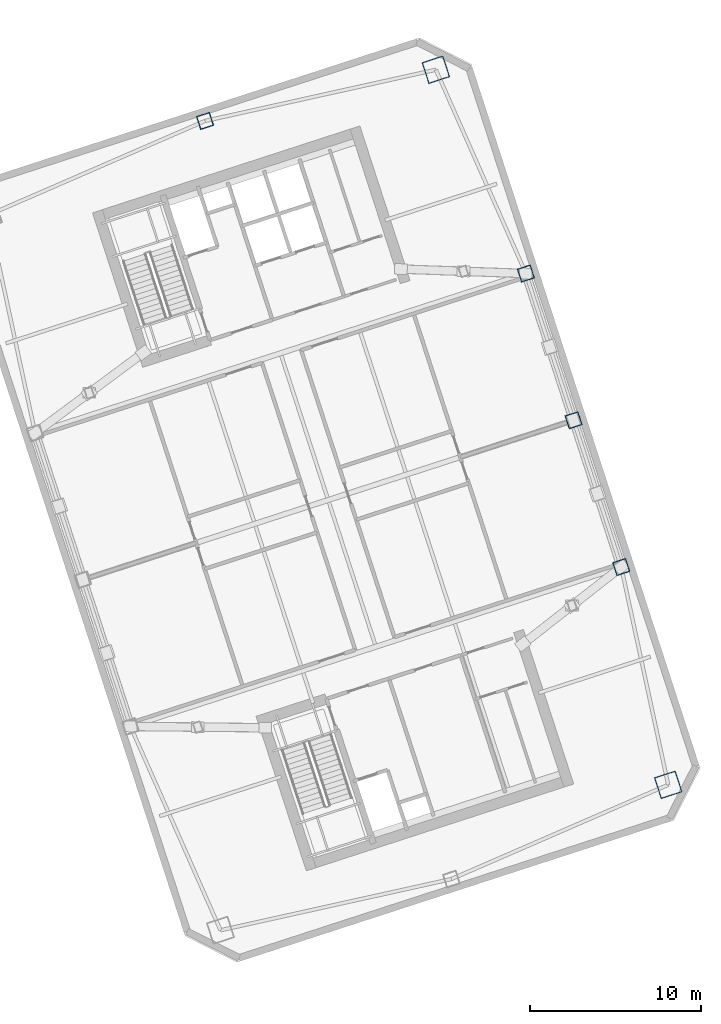
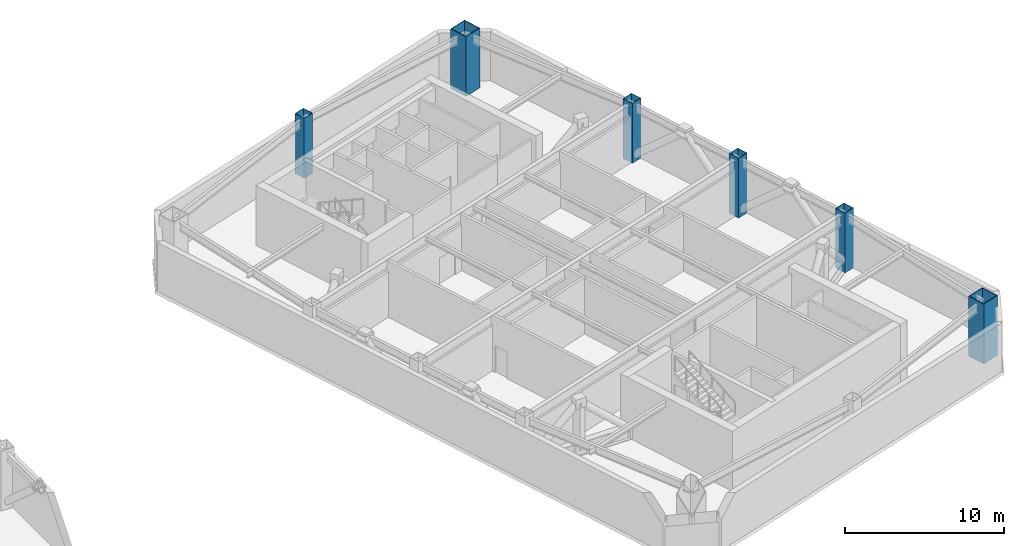
# One storey, part 2 of 14: 6 columns.
"""IFC4 building model written with IfcOpenShell, lengths in metres."""

from ifc_helpers import new_model, si_unit, direction, frame, origin, origin_2d, place, context, subcontext, project, spatial, hollow_rectangle, extrude, material, material_profile, profile_set, type_object, element, save


model = new_model("IFC4")

# Units and contexts
model_context = context("Model", 3, precision=1e-05, world=origin(), true_north=direction((0.0, 1.0)))
body_context = subcontext(model_context, "Body", "Model", "MODEL_VIEW")
ifc_project = project(units=[si_unit("LENGTHUNIT", "METRE"), si_unit("AREAUNIT", "SQUARE_METRE"), si_unit("VOLUMEUNIT", "CUBIC_METRE"), si_unit("PLANEANGLEUNIT", "RADIAN"), si_unit("MASSUNIT", "GRAM", prefix="KILO")], contexts=[model_context])

# Site, building, storey
site_placement = place(None, origin())
site = spatial("IfcSite", under=ifc_project, at=site_placement, CompositionType="ELEMENT")
building_placement = place(site_placement, origin())
building = spatial("IfcBuilding", under=site, at=building_placement, Name="Qiaolan Cultural Towers", CompositionType="ELEMENT")
storey_placement = place(building_placement, frame((0.0, 0.0, 138.0)))
storey = spatial("IfcBuildingStorey", under=building, at=storey_placement, Name="L36", CompositionType="ELEMENT", Elevation=138.0)

# Columns
ifc_material_1 = material(Name="Steel Q390GJB", Category="steel")
ifc_material_profile_1 = material_profile(ifc_material_1, hollow_rectangle(XDim=1.300048828125, YDim=1.300048828125, WallThickness=0.044921875, at=origin_2d()), Name="BOX1300x1300x45")
ifc_profile_set_1 = profile_set([ifc_material_profile_1], Name="Steel Q390GJB")
column_type_1 = type_object("IfcColumnType", Name="COL-BOX1300x1300x45", PredefinedType="COLUMN", material=ifc_profile_set_1)
for number, where, z_axis, x_axis, name in (
    (1, (109.834716796875, 17.38623046875, 0.0), (0.0, 0.0, 1.0), (0.951056516295, 0.309016994375, 0.0), "L36 T2 Perimeter Column MC-SE"),
    (2, (96.28125, 59.099365234375, 0.0), (0.0, 0.0, 1.0), (0.951056516295, 0.309016994375, 0.0), "L36 T2 Perimeter Column MC-NE"),
):
    element("IfcColumn", number, at=place(storey_placement, frame(where, z_axis=z_axis, x_axis=x_axis)), inside=storey, type_object=column_type_1, Name=name, PredefinedType="COLUMN", context=body_context, shape_type="SweptSolid", body=[
        extrude(hollow_rectangle(XDim=1.300048828125, YDim=1.300048828125, WallThickness=0.044921875, at=origin_2d()), origin(), (0.0, 0.0, 1.0), 4.60107421875),
    ])
ifc_material_2 = material(Name="Steel Q355B", Category="steel")
ifc_material_profile_2 = material_profile(ifc_material_2, hollow_rectangle(XDim=0.800048828125, YDim=0.800048828125, WallThickness=0.028076171875, at=origin_2d()), Name="BOX800x800x28")
ifc_profile_set_2 = profile_set([ifc_material_profile_2], Name="Steel Q355B")
column_type_2 = type_object("IfcColumnType", Name="COL-BOX800x800x28", PredefinedType="COLUMN", material=ifc_profile_set_2)
for number, where, z_axis, x_axis, name in (
    (3, (107.094482421875, 30.09130859375, 0.0), (0.0, 0.0, 1.0), (0.951056516295, 0.309016994375, 0.0), "L36 T2 Perimeter Column PC-E1"),
    (4, (104.3134765625, 38.650634765625, 0.0), (0.0, 0.0, 1.0), (0.951056516295, 0.309016994375, 0.0), "L36 T2 Perimeter Column PC-E2"),
    (5, (101.5322265625, 47.210205078125, 0.0), (0.0, 0.0, 1.0), (0.951056516295, 0.309016994375, 0.0), "L36 T2 Perimeter Column PC-E3"),
    (6, (82.8154296875, 56.112060546875, 0.0), (0.0, 0.0, 1.0), (0.951056516295, 0.309016994375, 0.0), "L36 T2 Perimeter Column PC-N0"),
):
    element("IfcColumn", number, at=place(storey_placement, frame(where, z_axis=z_axis, x_axis=x_axis)), inside=storey, type_object=column_type_2, Name=name, PredefinedType="COLUMN", context=body_context, shape_type="SweptSolid", body=[
        extrude(hollow_rectangle(XDim=0.800048828125, YDim=0.800048828125, WallThickness=0.028076171875, at=origin_2d()), origin(), (0.0, 0.0, 1.0), 4.60107421875),
    ])

save(model, "model.ifc")
